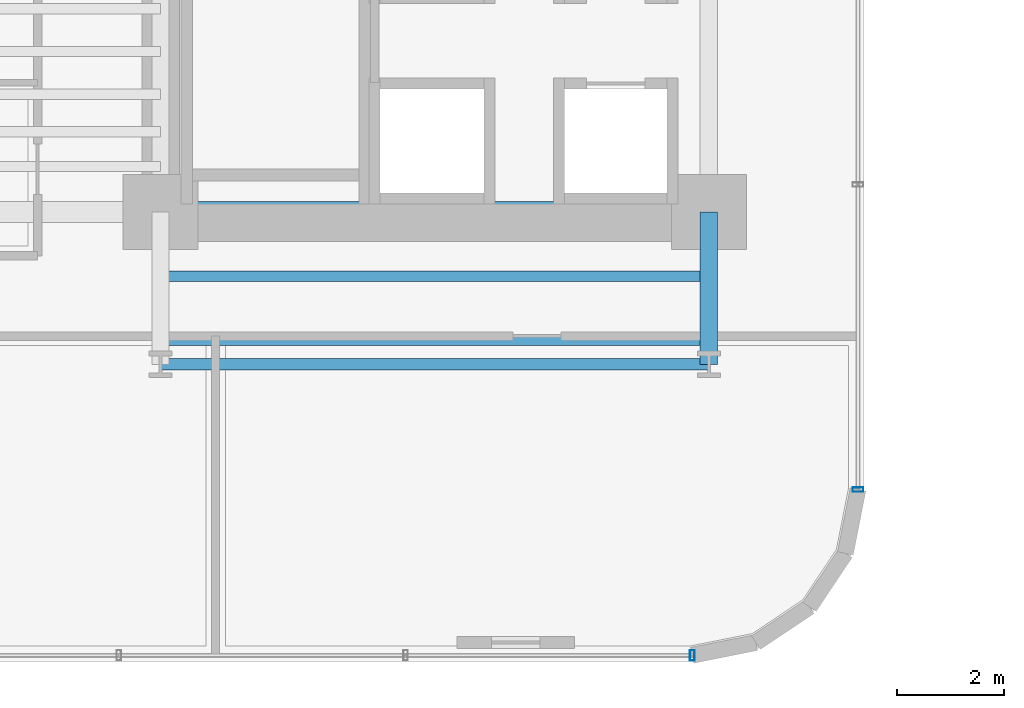
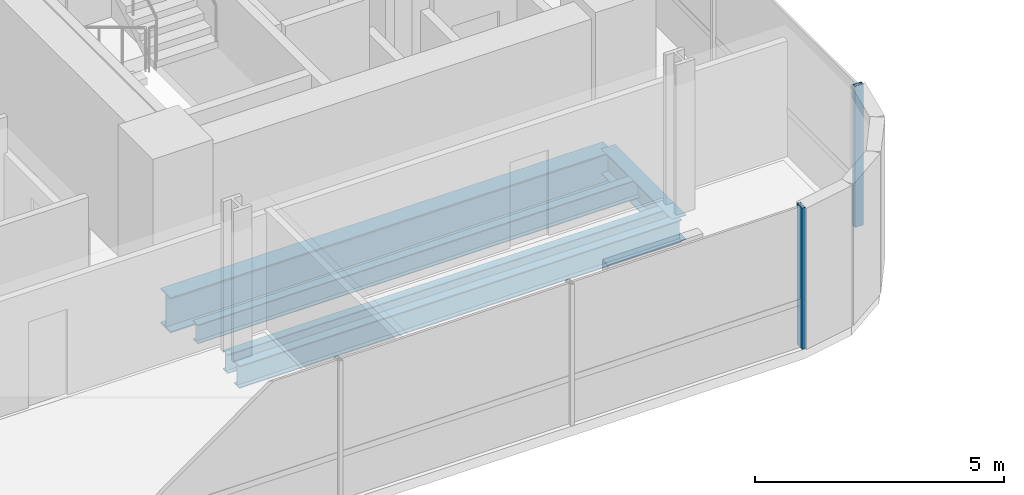
# One storey, part 5 of 39: 5 beams, 2 members, 2 elements without a shape of their own.
"""IFC4 building model written with IfcOpenShell, lengths in metres."""

from ifc_helpers import new_model, si_unit, direction, frame, origin, origin_2d, place, context, subcontext, project, spatial, hollow_rectangle, i_section, extrude, source, transform, mapped, material, material_profile, profile_set, type_object, element, aggregate, save


model = new_model("IFC4")

# Units and contexts
model_context = context("Model", 3, precision=1e-05, world=origin(), true_north=direction((0.0, 1.0)))
body_context = subcontext(model_context, "Body", "Model", "MODEL_VIEW")
ifc_project = project(units=[si_unit("LENGTHUNIT", "METRE"), si_unit("AREAUNIT", "SQUARE_METRE"), si_unit("VOLUMEUNIT", "CUBIC_METRE"), si_unit("PLANEANGLEUNIT", "RADIAN"), si_unit("MASSUNIT", "GRAM", prefix="KILO")], contexts=[model_context])

# Site, building, storey
site_placement = place(None, origin())
site = spatial("IfcSite", under=ifc_project, at=site_placement, CompositionType="ELEMENT")
building_placement = place(site_placement, origin())
building = spatial("IfcBuilding", under=site, at=building_placement, Name="Valdorenza Pilgrim Sanctuary Tower", CompositionType="ELEMENT")
storey_placement = place(building_placement, frame((0.0, 0.0, 77.800048828125)))
storey = spatial("IfcBuildingStorey", under=building, at=storey_placement, Name="L19", CompositionType="ELEMENT", Elevation=77.800048828125)

# Beams
ifc_material_1 = material(Name="Steel ASTM A992 Grade 50", Category="steel")
ifc_material_profile_1 = material_profile(ifc_material_1, i_section(OverallWidth=0.214111328125, OverallDepth=0.549072265625, WebThickness=0.0146484375, FlangeThickness=0.023681640625, at=origin_2d()), Name="W21X93")
ifc_profile_set_1 = profile_set([ifc_material_profile_1], Name="Steel ASTM A992 Grade 50")
beam_type_1 = type_object("IfcBeamType", Name="STR-BM-SPN-W21A", PredefinedType="SPANDREL", material=ifc_profile_set_1)
shared_shape_1 = source(origin(), body_context, "Body", "SweptSolid", [
    extrude(i_section(OverallWidth=0.214111328125, OverallDepth=0.549072265625, WebThickness=0.0146484375, FlangeThickness=0.023681640625, at=origin_2d()), origin(), (0.0, 0.0, 1.0), 10.25),
])
beam_1_placement = place(storey_placement, frame((-22.64990234375, -13.449951171875, -0.5146484375), z_axis=(1.0, 0.0, 0.0), x_axis=(0.0, 1.0, 0.0)))
element("IfcBeam", 1, at=beam_1_placement, inside=storey, type_object=beam_type_1, Name="L19 South Spandrel WA-S-TIE", PredefinedType="SPANDREL", context=body_context, shape_type="MappedRepresentation", body=[
    mapped(shared_shape_1, transform((0.0, 0.0, 0.0), x_axis=(1.0, 0.0, 0.0), y_axis=(0.0, 1.0, 0.0), z_axis=(0.0, 0.0, 1.0), scale=1.0)),
])
ifc_material_profile_2 = material_profile(ifc_material_1, i_section(OverallWidth=0.323974609375, OverallDepth=0.611083984375, WebThickness=0.0126953125, FlangeThickness=0.01904296875, at=origin_2d()), Name="W24X104")
ifc_profile_set_2 = profile_set([ifc_material_profile_2], Name="Steel ASTM A992 Grade 50")
beam_type_2 = type_object("IfcBeamType", Name="STR-BM-GRD-W24B", PredefinedType="BEAM", material=ifc_profile_set_2)
shared_shape_2 = source(origin(), body_context, "Body", "SweptSolid", [
    extrude(i_section(OverallWidth=0.323974609375, OverallDepth=0.611083984375, WebThickness=0.0126953125, FlangeThickness=0.01904296875, at=origin_2d()), origin(), (0.0, 0.0, 1.0), 2.849853515625),
])
beam_2_placement = place(storey_placement, frame((-12.39990234375, -13.449951171875, -0.545654296875), z_axis=(0.0, 1.0, 0.0), x_axis=(-1.0, 0.0, 0.0)))
element("IfcBeam", 2, at=beam_2_placement, inside=storey, type_object=beam_type_2, Name="L19 Floor Girder WA-S-LE", PredefinedType="BEAM", context=body_context, shape_type="MappedRepresentation", body=[
    mapped(shared_shape_2, transform((0.0, 0.0, 0.0), x_axis=(1.0, 0.0, 0.0), y_axis=(0.0, 1.0, 0.0), z_axis=(0.0, 0.0, 1.0), scale=1.0)),
])
ifc_material_profile_3 = material_profile(ifc_material_1, i_section(OverallWidth=0.193115234375, OverallDepth=0.466064453125, WebThickness=0.011474609375, FlangeThickness=0.01904296875, at=origin_2d()), Name="W18X65")
ifc_profile_set_3 = profile_set([ifc_material_profile_3], Name="Steel ASTM A992 Grade 50")
beam_type_3 = type_object("IfcBeamType", Name="STR-BM-JST-W18A", PredefinedType="JOIST", material=ifc_profile_set_3)
shared_shape_3 = source(origin(), body_context, "Body", "SweptSolid", [
    extrude(i_section(OverallWidth=0.193115234375, OverallDepth=0.466064453125, WebThickness=0.011474609375, FlangeThickness=0.01904296875, at=origin_2d()), origin(), (0.0, 0.0, 1.0), 10.25),
])
for number, where, z_axis, x_axis, name in (
    (3, (-22.64990234375, -13.0, -0.47314453125), (1.0, 0.0, 0.0), (0.0, 1.0, 0.0), "L19 Composite Floor Joist JST-WAS-1"),
    (4, (-22.64990234375, -11.800048828125, -0.47314453125), (1.0, 0.0, 0.0), (0.0, 1.0, 0.0), "L19 Composite Floor Joist JST-WAS-2"),
):
    element("IfcBeam", number, at=place(storey_placement, frame(where, z_axis=z_axis, x_axis=x_axis)), inside=storey, type_object=beam_type_3, Name=name, PredefinedType="JOIST", context=body_context, shape_type="MappedRepresentation", body=[
        mapped(shared_shape_3, transform((0.0, 0.0, 0.0), x_axis=(1.0, 0.0, 0.0), y_axis=(0.0, 1.0, 0.0), z_axis=(0.0, 0.0, 1.0), scale=1.0)),
    ])
ifc_material_profile_4 = material_profile(ifc_material_1, i_section(OverallWidth=0.39990234375, OverallDepth=0.862060546875, WebThickness=0.019775390625, FlangeThickness=0.032470703125, at=origin_2d()), Name="W33X221")
ifc_profile_set_4 = profile_set([ifc_material_profile_4], Name="Steel ASTM A992 Grade 50")
beam_type_4 = type_object("IfcBeamType", Name="STR-BM-GRD-W33", PredefinedType="BEAM", material=ifc_profile_set_4)
shared_shape_4 = source(origin(), body_context, "Body", "SweptSolid", [
    extrude(i_section(OverallWidth=0.39990234375, OverallDepth=0.862060546875, WebThickness=0.019775390625, FlangeThickness=0.032470703125, at=origin_2d()), origin(), (0.0, 0.0, 1.0), 10.25),
])
beam_3_placement = place(storey_placement, frame((-22.64990234375, -10.60009765625, -0.671142578125), z_axis=(1.0, 0.0, 0.0), x_axis=(0.0, 1.0, 0.0)))
element("IfcBeam", 5, at=beam_3_placement, inside=storey, type_object=beam_type_4, Name="L19 Floor Girder CA-XC-S1", PredefinedType="BEAM", context=body_context, shape_type="MappedRepresentation", body=[
    mapped(shared_shape_4, transform((0.0, 0.0, 0.0), x_axis=(1.0, 0.0, 0.0), y_axis=(0.0, 1.0, 0.0), z_axis=(0.0, 0.0, 1.0), scale=1.0)),
])

# Curtain wall, member
ifc_material_2 = material(Name="Curtain-wall IGU glazing", Category="glass")
curtain_wall_type = type_object("IfcCurtainWallType", Name="CW-SYS-02", PredefinedType="NOTDEFINED", material=ifc_material_2)
curtain_wall_1_placement = place(storey_placement, origin())
curtain_wall_1 = element("IfcCurtainWall", 6, at=curtain_wall_1_placement, inside=storey, type_object=curtain_wall_type, Name="L19 Curtain Wall CW-L19-1-41", PredefinedType="NOTDEFINED")
ifc_material_3 = material(Name="Anodised aluminium AW-6060", Category="aluminium")
ifc_material_profile_5 = material_profile(ifc_material_3, hollow_rectangle(XDim=0.0849609375, YDim=0.199951171875, WallThickness=0.0048828125, at=origin_2d()), Name="ALU-M 200x85x5")
ifc_profile_set_5 = profile_set([ifc_material_profile_5], Name="Anodised aluminium AW-6060")
member_type = type_object("IfcMemberType", Name="CW-MUL-02", PredefinedType="MULLION", material=ifc_profile_set_5)
shared_shape_5 = source(origin(), body_context, "Body", "SweptSolid", [
    extrude(hollow_rectangle(XDim=0.0849609375, YDim=0.199951171875, WallThickness=0.0048828125, at=origin_2d()), origin(), (0.0, 0.0, 1.0), 3.4599609375),
])
member_1_placement = place(storey_placement, frame((-9.610107421875, -15.789306640625, 0.0), z_axis=(0.0, 0.0, 1.0), x_axis=(0.0, -1.0, 0.0)))
member_1 = element("IfcMember", 7, at=member_1_placement, type_object=member_type, Name="CW-L19-1-41 Mullion 5", PredefinedType="MULLION", context=body_context, shape_type="MappedRepresentation", body=[
    mapped(shared_shape_5, transform((0.0, 0.0, 0.0), x_axis=(1.0, 0.0, 0.0), y_axis=(0.0, 1.0, 0.0), z_axis=(0.0, 0.0, 1.0), scale=1.0)),
])
aggregate(curtain_wall_1, [member_1])

curtain_wall_2_placement = place(storey_placement, origin())
curtain_wall_2 = element("IfcCurtainWall", 8, at=curtain_wall_2_placement, inside=storey, type_object=curtain_wall_type, Name="L19 Curtain Wall CW-L19-1-46", PredefinedType="NOTDEFINED")
member_2_placement = place(storey_placement, frame((-12.710693359375, -18.889892578125, 0.0), z_axis=(0.0, 0.0, 1.0), x_axis=(-1.0, 0.0, 0.0)))
member_2 = element("IfcMember", 9, at=member_2_placement, type_object=member_type, Name="CW-L19-1-46 Mullion 1", PredefinedType="MULLION", context=body_context, shape_type="MappedRepresentation", body=[
    mapped(shared_shape_5, transform((0.0, 0.0, 0.0), x_axis=(1.0, 0.0, 0.0), y_axis=(0.0, 1.0, 0.0), z_axis=(0.0, 0.0, 1.0), scale=1.0)),
])
aggregate(curtain_wall_2, [member_2])

save(model, "model.ifc")
